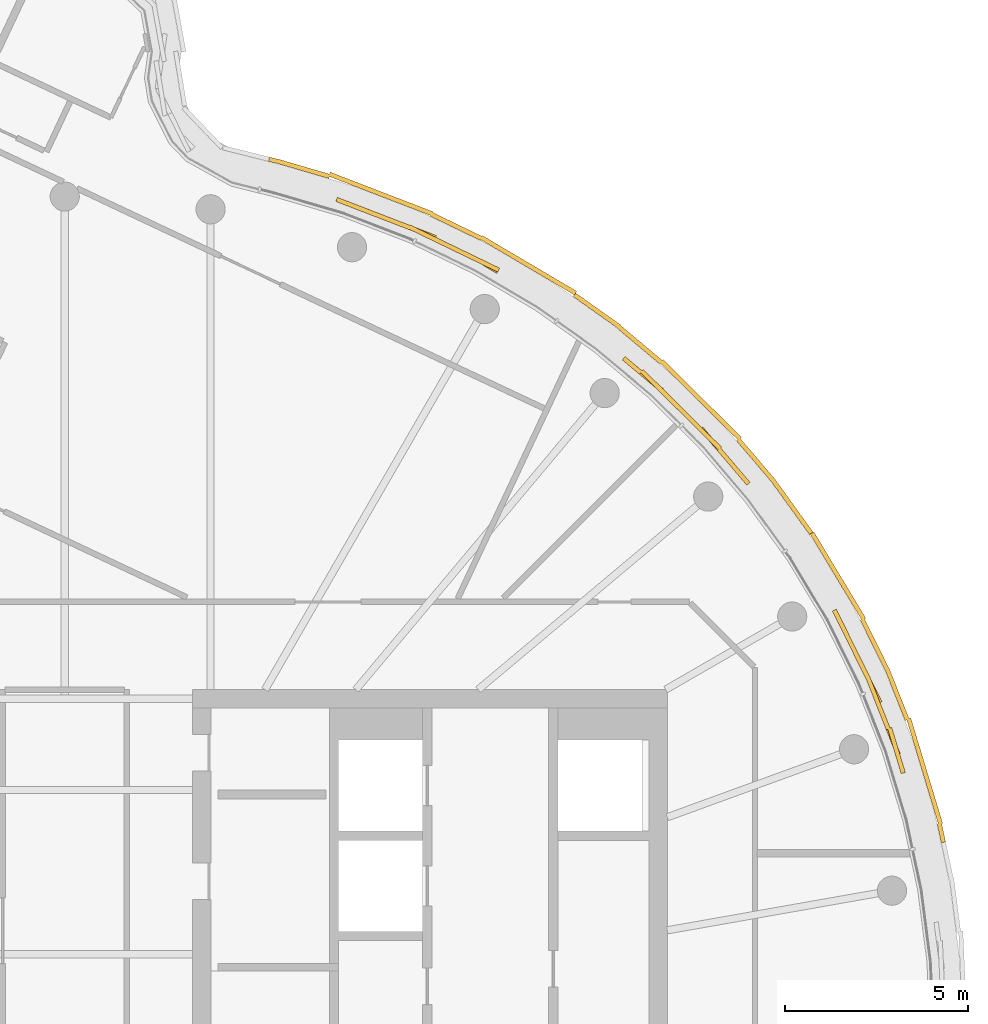
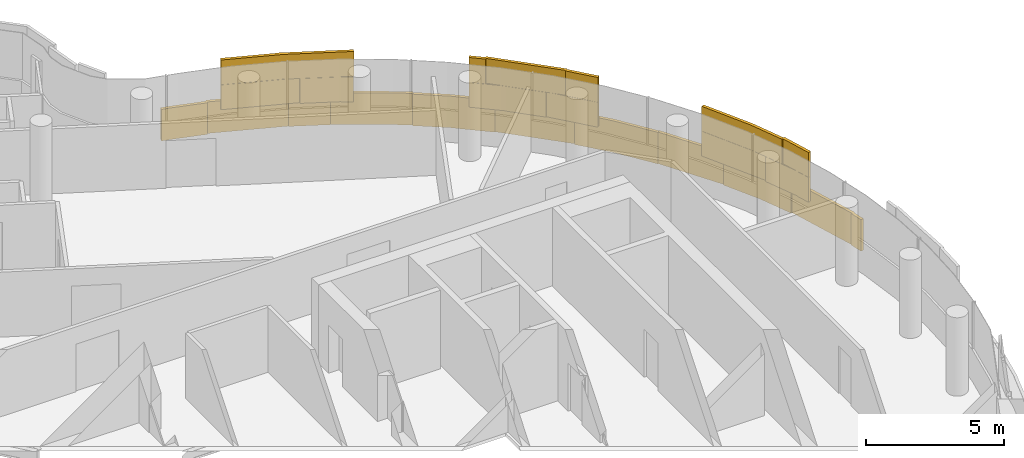
# One storey, part 20 of 21: 3 coverings.
"""IFC4 building model written with IfcOpenShell, lengths in metres."""

from ifc_helpers import new_model, si_unit, direction, frame, origin, origin_2d, place, context, subcontext, project, spatial, rectangle, extrude, material, layer, layer_set, type_object, element, save


model = new_model("IFC4")

# Units and contexts
model_context = context("Model", 3, precision=1e-05, world=origin(), true_north=direction((0.0, 1.0)))
body_context = subcontext(model_context, "Body", "Model", "MODEL_VIEW")
ifc_project = project(units=[si_unit("LENGTHUNIT", "METRE"), si_unit("AREAUNIT", "SQUARE_METRE"), si_unit("VOLUMEUNIT", "CUBIC_METRE"), si_unit("PLANEANGLEUNIT", "RADIAN"), si_unit("MASSUNIT", "GRAM", prefix="KILO")], contexts=[model_context])

# Site, building, storey
site_placement = place(None, origin())
site = spatial("IfcSite", under=ifc_project, at=site_placement, CompositionType="ELEMENT")
building_placement = place(site_placement, origin())
building = spatial("IfcBuilding", under=site, at=building_placement, Name="Tamarind Cross Interchange Tower", CompositionType="ELEMENT")
storey_placement = place(building_placement, frame((0.0, 0.0, 267.60009765625)))
storey = spatial("IfcBuildingStorey", under=building, at=storey_placement, Name="L68", CompositionType="ELEMENT", Elevation=267.60009765625)

# Coverings
ifc_material = material(Name="Terracotta", Category="masonry")
ifc_layer = layer(ifc_material, 0.1201171875)
ifc_layer_set = layer_set([ifc_layer], Name="Terracotta")
covering_type = type_object("IfcCoveringType", Name="Terracotta baguette screen unit", PredefinedType="MOLDING", material=ifc_layer_set)
covering_1_placement = place(storey_placement, origin())
element("IfcCovering", 1, at=covering_1_placement, inside=storey, type_object=covering_type, Name="SCR-L68-01-12", PredefinedType="MOLDING", context=body_context, shape_type="SweptSolid", body=[
    extrude(rectangle(XDim=0.537353515625, YDim=0.1201171875, at=origin_2d()), frame((22.882080078125, 7.47216796875, 1.40380859375), z_axis=(0.0, 0.0, 1.0), x_axis=(-0.289458243079, 0.957190642199, 0.0)), (0.0, 0.0, 1.0), 1.092041015625),
    extrude(rectangle(XDim=1.52001953125, YDim=0.1201171875, at=origin_2d()), frame((22.5458984375, 8.427734375, 1.40380859375), z_axis=(0.0, 0.0, 1.0), x_axis=(-0.367513773146, 0.930018078613, 0.0)), (0.0, 0.0, 1.0), 1.092041015625),
    extrude(rectangle(XDim=1.52001953125, YDim=0.1201171875, at=origin_2d()), frame((21.990478515625, 9.82080078125, 1.40380859375), z_axis=(0.0, 0.0, 1.0), x_axis=(-0.443058811505, 0.896492548518, 0.0)), (0.0, 0.0, 1.0), 1.092041015625),
    extrude(rectangle(XDim=1.3251953125, YDim=0.1201171875, at=origin_2d()), frame((21.36669921875, 11.082763671875, 1.40380859375), z_axis=(0.0, 0.0, 1.0), x_axis=(-0.443058811505, 0.896492548518, 0.0)), (0.0, 0.0, 1.0), 1.092041015625),
    extrude(rectangle(XDim=1.287353515625, YDim=0.1201171875, at=origin_2d()), frame((22.773681640625, 7.831298828125, 2.50390625), z_axis=(0.0, 0.0, 1.0), x_axis=(-0.289458243079, 0.957190642199, 0.0)), (0.0, 0.0, 1.0), 1.092041015625),
    extrude(rectangle(XDim=1.52001953125, YDim=0.1201171875, at=origin_2d()), frame((22.270263671875, 9.125244140625, 2.50390625), z_axis=(0.0, 0.0, 1.0), x_axis=(-0.367513773146, 0.930018078613, 0.0)), (0.0, 0.0, 1.0), 1.092041015625),
    extrude(rectangle(XDim=1.52001953125, YDim=0.1201171875, at=origin_2d()), frame((21.658203125, 10.4931640625, 2.50390625), z_axis=(0.0, 0.0, 1.0), x_axis=(-0.443058811505, 0.896492548518, 0.0)), (0.0, 0.0, 1.0), 1.092041015625),
    extrude(rectangle(XDim=0.5751953125, YDim=0.1201171875, at=origin_2d()), frame((21.20068359375, 11.4189453125, 2.50390625), z_axis=(0.0, 0.0, 1.0), x_axis=(-0.443058811505, 0.896492548518, 0.0)), (0.0, 0.0, 1.0), 1.092041015625),
    extrude(rectangle(XDim=0.5244140625, YDim=0.1201171875, at=origin_2d()), frame((24.004638671875, 5.57275390625, 0.00390625), z_axis=(0.0, 0.0, 1.0), x_axis=(-0.209425419705, 0.977824623121, 0.0)), (0.0, 0.0, 1.0), 1.39208984375),
    extrude(rectangle(XDim=1.52001953125, YDim=0.1201171875, at=origin_2d()), frame((23.762451171875, 6.544189453125, 0.00390625), z_axis=(0.0, 0.0, 1.0), x_axis=(-0.289458243079, 0.957190642199, 0.0)), (0.0, 0.0, 1.0), 1.39208984375),
    extrude(rectangle(XDim=1.52001953125, YDim=0.1201171875, at=origin_2d()), frame((23.328125, 7.97998046875, 0.00390625), z_axis=(0.0, 0.0, 1.0), x_axis=(-0.289458243079, 0.957190642199, 0.0)), (0.0, 0.0, 1.0), 1.39208984375),
    extrude(rectangle(XDim=1.52001953125, YDim=0.1201171875, at=origin_2d()), frame((22.787353515625, 9.378662109375, 0.00390625), z_axis=(0.0, 0.0, 1.0), x_axis=(-0.367513773146, 0.930018078613, 0.0)), (0.0, 0.0, 1.0), 1.39208984375),
    extrude(rectangle(XDim=1.52001953125, YDim=0.1201171875, at=origin_2d()), frame((22.173583984375, 10.745849609375, 0.00390625), z_axis=(0.0, 0.0, 1.0), x_axis=(-0.443058811505, 0.896492548518, 0.0)), (0.0, 0.0, 1.0), 1.39208984375),
    extrude(rectangle(XDim=1.52001953125, YDim=0.1201171875, at=origin_2d()), frame((21.48779296875, 12.0791015625, 0.00390625), z_axis=(0.0, 0.0, 1.0), x_axis=(-0.515577308909, 0.856843065292, 0.0)), (0.0, 0.0, 1.0), 1.39208984375),
    extrude(rectangle(XDim=1.25390625, YDim=0.1201171875, at=origin_2d()), frame((20.782958984375, 13.25048828125, 0.00390625), z_axis=(0.0, 0.0, 1.0), x_axis=(-0.515577308909, 0.856843065292, 0.0)), (0.0, 0.0, 1.0), 1.39208984375),
])
covering_2_placement = place(storey_placement, origin())
element("IfcCovering", 2, at=covering_2_placement, inside=storey, type_object=covering_type, Name="SCR-L68-01-13", PredefinedType="MOLDING", context=body_context, shape_type="SweptSolid", body=[
    extrude(rectangle(XDim=0.494873046875, YDim=0.1201171875, at=origin_2d()), frame((18.558837890625, 15.32568359375, 1.40380859375), z_axis=(0.0, 0.0, 1.0), x_axis=(-0.64957723968, 0.760295606781, 0.0)), (0.0, 0.0, 1.0), 1.092041015625),
    extrude(rectangle(XDim=1.52001953125, YDim=0.1201171875, at=origin_2d()), frame((17.914306640625, 16.080322265625, 1.40380859375), z_axis=(0.0, 0.0, 1.0), x_axis=(-0.64957723968, 0.760295606781, 0.0)), (0.0, 0.0, 1.0), 1.092041015625),
    extrude(rectangle(XDim=1.52001953125, YDim=0.1201171875, at=origin_2d()), frame((16.87353515625, 17.1591796875, 1.40380859375), z_axis=(0.0, 0.0, 1.0), x_axis=(-0.710143317658, 0.704057148523, 0.0)), (0.0, 0.0, 1.0), 1.092041015625),
    extrude(rectangle(XDim=1.36865234375, YDim=0.1201171875, at=origin_2d()), frame((15.828857421875, 18.133056640625, 1.40380859375), z_axis=(0.0, 0.0, 1.0), x_axis=(-0.765858396687, 0.643009266048, 0.0)), (0.0, 0.0, 1.0), 1.092041015625),
    extrude(rectangle(XDim=1.244873046875, YDim=0.1201171875, at=origin_2d()), frame((18.315185546875, 15.61083984375, 2.50390625), z_axis=(0.0, 0.0, 1.0), x_axis=(-0.64957723968, 0.760295606781, 0.0)), (0.0, 0.0, 1.0), 1.092041015625),
    extrude(rectangle(XDim=1.52001953125, YDim=0.1201171875, at=origin_2d()), frame((17.40625, 16.631103515625, 2.50390625), z_axis=(0.0, 0.0, 1.0), x_axis=(-0.710143317658, 0.704057148523, 0.0)), (0.0, 0.0, 1.0), 1.092041015625),
    extrude(rectangle(XDim=1.52001953125, YDim=0.1201171875, at=origin_2d()), frame((16.341064453125, 17.687255859375, 2.50390625), z_axis=(0.0, 0.0, 1.0), x_axis=(-0.710143317658, 0.704057148523, 0.0)), (0.0, 0.0, 1.0), 1.092041015625),
    extrude(rectangle(XDim=0.61865234375, YDim=0.1201171875, at=origin_2d()), frame((15.541748046875, 18.3740234375, 2.50390625), z_axis=(0.0, 0.0, 1.0), x_axis=(-0.765858396687, 0.643009266048, 0.0)), (0.0, 0.0, 1.0), 1.092041015625),
    extrude(rectangle(XDim=0.26611328125, YDim=0.1201171875, at=origin_2d()), frame((20.364990234375, 13.88427734375, 0.00390625), z_axis=(0.0, 0.0, 1.0), x_axis=(-0.584573890505, 0.811340475102, 0.0)), (0.0, 0.0, 1.0), 1.39208984375),
    extrude(rectangle(XDim=1.52001953125, YDim=0.1201171875, at=origin_2d()), frame((19.854736328125, 14.5927734375, 0.00390625), z_axis=(0.0, 0.0, 1.0), x_axis=(-0.584573890505, 0.811340475102, 0.0)), (0.0, 0.0, 1.0), 1.39208984375),
    extrude(rectangle(XDim=1.52001953125, YDim=0.1201171875, at=origin_2d()), frame((18.931396484375, 15.773193359375, 0.00390625), z_axis=(0.0, 0.0, 1.0), x_axis=(-0.64957723968, 0.760295606781, 0.0)), (0.0, 0.0, 1.0), 1.39208984375),
    extrude(rectangle(XDim=1.52001953125, YDim=0.1201171875, at=origin_2d()), frame((17.9462890625, 16.90380859375, 0.00390625), z_axis=(0.0, 0.0, 1.0), x_axis=(-0.710143317658, 0.704057148523, 0.0)), (0.0, 0.0, 1.0), 1.39208984375),
    extrude(rectangle(XDim=1.52001953125, YDim=0.1201171875, at=origin_2d()), frame((16.881103515625, 17.9599609375, 0.00390625), z_axis=(0.0, 0.0, 1.0), x_axis=(-0.710143317658, 0.704057148523, 0.0)), (0.0, 0.0, 1.0), 1.39208984375),
    extrude(rectangle(XDim=1.52001953125, YDim=0.1201171875, at=origin_2d()), frame((15.752685546875, 18.946533203125, 0.00390625), z_axis=(0.0, 0.0, 1.0), x_axis=(-0.765858396687, 0.643009266048, 0.0)), (0.0, 0.0, 1.0), 1.39208984375),
    extrude(rectangle(XDim=1.52001953125, YDim=0.1201171875, at=origin_2d()), frame((14.573486328125, 19.871826171875, 0.00390625), z_axis=(0.0, 0.0, 1.0), x_axis=(-0.816341886298, 0.577568978284, 0.0)), (0.0, 0.0, 1.0), 1.39208984375),
])
covering_3_placement = place(storey_placement, origin())
element("IfcCovering", 3, at=covering_3_placement, inside=storey, type_object=covering_type, Name="SCR-L68-01-14", PredefinedType="MOLDING", context=body_context, shape_type="SweptSolid", body=[
    extrude(rectangle(XDim=0.451416015625, YDim=0.1201171875, at=origin_2d()), frame((11.6650390625, 21.0595703125, 1.40380859375), z_axis=(0.0, 0.0, 1.0), x_axis=(-0.861248933065, 0.508183308752, 0.0)), (0.0, 0.0, 1.0), 1.092041015625),
    extrude(rectangle(XDim=1.52001953125, YDim=0.1201171875, at=origin_2d()), frame((10.804443359375, 21.5068359375, 1.40380859375), z_axis=(0.0, 0.0, 1.0), x_axis=(-0.900272776334, 0.435326231914, 0.0)), (0.0, 0.0, 1.0), 1.092041015625),
    extrude(rectangle(XDim=1.52001953125, YDim=0.1201171875, at=origin_2d()), frame((9.449462890625, 22.149169921875, 1.40380859375), z_axis=(0.0, 0.0, 1.0), x_axis=(-0.933146843667, 0.359495435512, 0.0)), (0.0, 0.0, 1.0), 1.092041015625),
    extrude(rectangle(XDim=1.404541015625, YDim=0.1201171875, at=origin_2d()), frame((8.098876953125, 22.66943359375, 1.40380859375), z_axis=(0.0, 0.0, 1.0), x_axis=(-0.933146843667, 0.359495435512, 0.0)), (0.0, 0.0, 1.0), 1.092041015625),
    extrude(rectangle(XDim=1.201416015625, YDim=0.1201171875, at=origin_2d()), frame((11.3408203125, 21.24755859375, 2.50390625), z_axis=(0.0, 0.0, 1.0), x_axis=(-0.900272776334, 0.435326231914, 0.0)), (0.0, 0.0, 1.0), 1.092041015625),
    extrude(rectangle(XDim=1.52001953125, YDim=0.1201171875, at=origin_2d()), frame((10.129150390625, 21.833251953125, 2.50390625), z_axis=(0.0, 0.0, 1.0), x_axis=(-0.900272776334, 0.435326231914, 0.0)), (0.0, 0.0, 1.0), 1.092041015625),
    extrude(rectangle(XDim=1.52001953125, YDim=0.1201171875, at=origin_2d()), frame((8.74951171875, 22.418701171875, 2.50390625), z_axis=(0.0, 0.0, 1.0), x_axis=(-0.933146843667, 0.359495435512, 0.0)), (0.0, 0.0, 1.0), 1.092041015625),
    extrude(rectangle(XDim=0.654541015625, YDim=0.1201171875, at=origin_2d()), frame((7.7490234375, 22.80419921875, 2.50390625), z_axis=(0.0, 0.0, 1.0), x_axis=(-0.933146843667, 0.359495435512, 0.0)), (0.0, 0.0, 1.0), 1.092041015625),
    extrude(rectangle(XDim=1.507080078125, YDim=0.1201171875, at=origin_2d()), frame((13.3408203125, 20.7373046875, 0.00390625), z_axis=(0.0, 0.0, 1.0), x_axis=(-0.861248933065, 0.508183308752, 0.0)), (0.0, 0.0, 1.0), 1.39208984375),
    extrude(rectangle(XDim=1.52001953125, YDim=0.1201171875, at=origin_2d()), frame((12.054443359375, 21.496337890625, 0.00390625), z_axis=(0.0, 0.0, 1.0), x_axis=(-0.861248933065, 0.508183308752, 0.0)), (0.0, 0.0, 1.0), 1.39208984375),
    extrude(rectangle(XDim=1.52001953125, YDim=0.1201171875, at=origin_2d()), frame((10.72265625, 22.18408203125, 0.00390625), z_axis=(0.0, 0.0, 1.0), x_axis=(-0.900272776334, 0.435326231914, 0.0)), (0.0, 0.0, 1.0), 1.39208984375),
    extrude(rectangle(XDim=1.52001953125, YDim=0.1201171875, at=origin_2d()), frame((9.356201171875, 22.80029296875, 0.00390625), z_axis=(0.0, 0.0, 1.0), x_axis=(-0.933146843667, 0.359495435512, 0.0)), (0.0, 0.0, 1.0), 1.39208984375),
    extrude(rectangle(XDim=1.52001953125, YDim=0.1201171875, at=origin_2d()), frame((7.95654296875, 23.33935546875, 0.00390625), z_axis=(0.0, 0.0, 1.0), x_axis=(-0.933146843667, 0.359495435512, 0.0)), (0.0, 0.0, 1.0), 1.39208984375),
    extrude(rectangle(XDim=1.52001953125, YDim=0.1201171875, at=origin_2d()), frame((6.5185546875, 23.765380859375, 0.00390625), z_axis=(0.0, 0.0, 1.0), x_axis=(-0.95964657186, 0.281208920763, 0.0)), (0.0, 0.0, 1.0), 1.39208984375),
    extrude(rectangle(XDim=0.22021484375, YDim=0.1201171875, at=origin_2d()), frame((5.699951171875, 23.993896484375, 0.00390625), z_axis=(0.0, 0.0, 1.0), x_axis=(-0.970165151039, 0.242445003473, 0.0)), (0.0, 0.0, 1.0), 1.39208984375),
])

save(model, "model.ifc")
